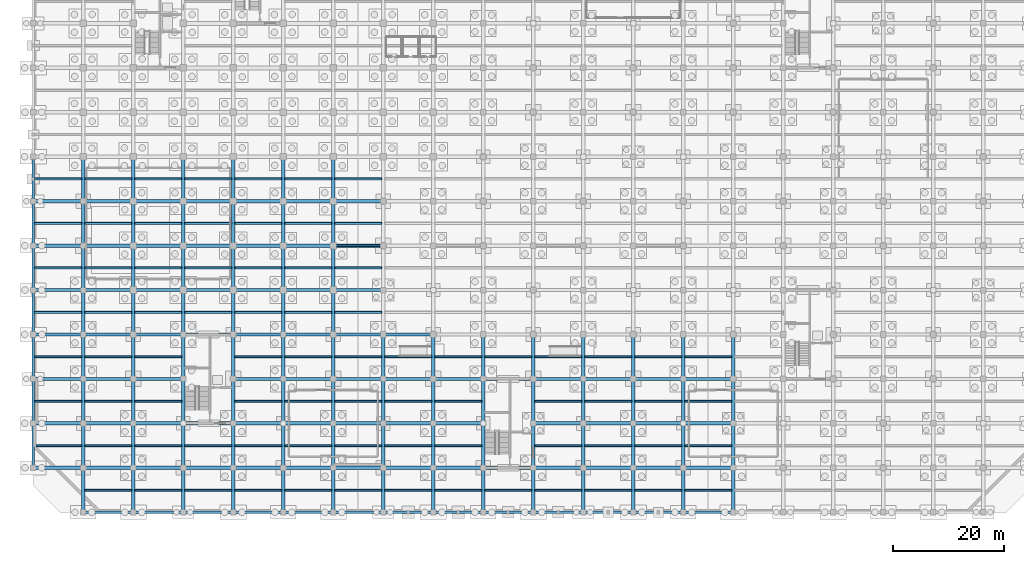
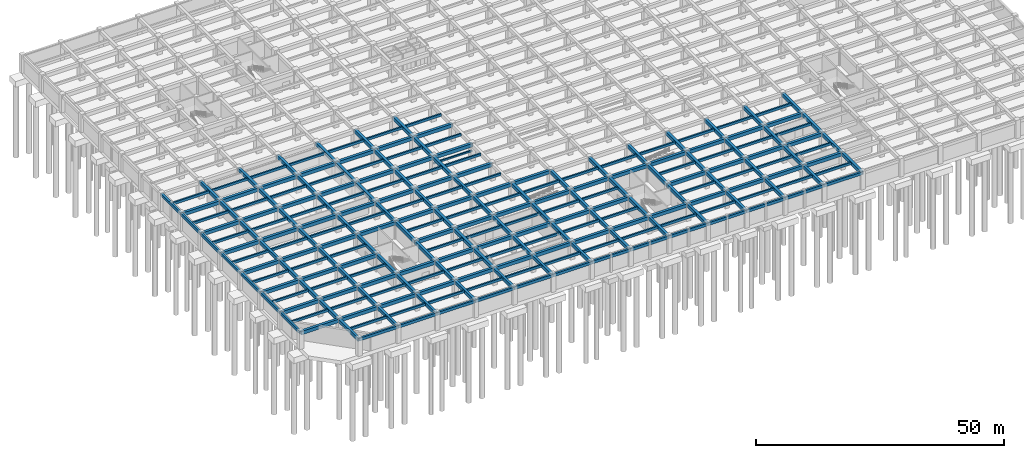
# One storey, part 12 of 31: 249 beams.
"""IFC4 building model written with IfcOpenShell, lengths in metres."""

from ifc_helpers import new_model, si_unit, direction, frame, origin, origin_2d, place, context, subcontext, project, spatial, rectangle, extrude, material, material_profile, profile_set, type_object, element, save


model = new_model("IFC4")

# Units and contexts
model_context = context("Model", 3, precision=1e-05, world=origin(), true_north=direction((0.0, 1.0)))
body_context = subcontext(model_context, "Body", "Model", "MODEL_VIEW")
ifc_project = project(units=[si_unit("LENGTHUNIT", "METRE"), si_unit("AREAUNIT", "SQUARE_METRE"), si_unit("VOLUMEUNIT", "CUBIC_METRE"), si_unit("PLANEANGLEUNIT", "RADIAN"), si_unit("MASSUNIT", "GRAM", prefix="KILO")], contexts=[model_context])

# Site, building, storey
site_placement = place(None, origin())
site = spatial("IfcSite", under=ifc_project, at=site_placement, CompositionType="ELEMENT")
building_placement = place(site_placement, origin())
building = spatial("IfcBuilding", under=site, at=building_placement, Name="Zaverband Oceanarium and Marine Research Institute", CompositionType="ELEMENT")
storey_placement = place(building_placement, frame((0.0, 0.0, -9.0)))
storey = spatial("IfcBuildingStorey", under=building, at=storey_placement, Name="B2", CompositionType="ELEMENT", Elevation=-9.0)

# Beams
ifc_material = material(Name="Concrete C40/50", Category="concrete")
ifc_material_profile_1 = material_profile(ifc_material, rectangle(XDim=0.60009765625, YDim=0.85009765625, at=origin_2d()), Name="RC600x850")
ifc_profile_set_1 = profile_set([ifc_material_profile_1], Name="Concrete C40/50")
beam_type_1 = type_object("IfcBeamType", Name="BM-600x850", PredefinedType="BEAM", material=ifc_profile_set_1)
for number, where, z_axis, x_axis, name in (
    (1, (0.0, 8.0, 3.77490234375), (1.0, 0.0, 0.0), (0.0, 1.0, 0.0), "Primary floor girder BM-600x850"),
    (2, (9.0, 8.0, 3.77490234375), (1.0, 0.0, 0.0), (0.0, 1.0, 0.0), "Primary floor girder BM-600x850"),
    (3, (18.0, 8.0, 3.77490234375), (1.0, 0.0, 0.0), (0.0, 1.0, 0.0), "Primary floor girder BM-600x850"),
    (4, (27.0, 8.0, 3.77490234375), (1.0, 0.0, 0.0), (0.0, 1.0, 0.0), "Primary floor girder BM-600x850"),
    (5, (36.0, 8.0, 3.77490234375), (1.0, 0.0, 0.0), (0.0, 1.0, 0.0), "Primary floor girder BM-600x850"),
    (6, (45.0, 8.0, 3.77490234375), (1.0, 0.0, 0.0), (0.0, 1.0, 0.0), "Primary floor girder BM-600x850"),
    (7, (54.0, 8.0, 3.77490234375), (1.0, 0.0, 0.0), (0.0, 1.0, 0.0), "Primary floor girder BM-600x850"),
    (8, (63.0, 8.0, 3.77490234375), (1.0, 0.0, 0.0), (0.0, 1.0, 0.0), "Primary floor girder BM-600x850"),
    (9, (72.0, 8.0, 3.77490234375), (1.0, 0.0, 0.0), (0.0, 1.0, 0.0), "Primary floor girder BM-600x850"),
    (10, (81.0, 8.0, 3.77490234375), (1.0, 0.0, 0.0), (0.0, 1.0, 0.0), "Primary floor girder BM-600x850"),
    (11, (90.0, 8.0, 3.77490234375), (1.0, 0.0, 0.0), (0.0, 1.0, 0.0), "Primary floor girder BM-600x850"),
    (12, (99.0, 8.0, 3.77490234375), (1.0, 0.0, 0.0), (0.0, 1.0, 0.0), "Primary floor girder BM-600x850"),
    (13, (108.0, 8.0, 3.77490234375), (1.0, 0.0, 0.0), (0.0, 1.0, 0.0), "Primary floor girder BM-600x850"),
    (14, (117.0, 8.0, 3.77490234375), (1.0, 0.0, 0.0), (0.0, 1.0, 0.0), "Primary floor girder BM-600x850"),
    (15, (0.0, 16.0, 3.77490234375), (1.0, 0.0, 0.0), (0.0, 1.0, 0.0), "Primary floor girder BM-600x850"),
    (16, (9.0, 16.0, 3.77490234375), (1.0, 0.0, 0.0), (0.0, 1.0, 0.0), "Primary floor girder BM-600x850"),
    (17, (18.0, 16.0, 3.77490234375), (1.0, 0.0, 0.0), (0.0, 1.0, 0.0), "Primary floor girder BM-600x850"),
    (18, (27.0, 16.0, 3.77490234375), (1.0, 0.0, 0.0), (0.0, 1.0, 0.0), "Primary floor girder BM-600x850"),
    (19, (36.0, 16.0, 3.77490234375), (1.0, 0.0, 0.0), (0.0, 1.0, 0.0), "Primary floor girder BM-600x850"),
    (20, (45.0, 16.0, 3.77490234375), (1.0, 0.0, 0.0), (0.0, 1.0, 0.0), "Primary floor girder BM-600x850"),
    (21, (54.0, 16.0, 3.77490234375), (1.0, 0.0, 0.0), (0.0, 1.0, 0.0), "Primary floor girder BM-600x850"),
    (22, (63.0, 16.0, 3.77490234375), (1.0, 0.0, 0.0), (0.0, 1.0, 0.0), "Primary floor girder BM-600x850"),
    (23, (72.0, 16.0, 3.77490234375), (1.0, 0.0, 0.0), (0.0, 1.0, 0.0), "Primary floor girder BM-600x850"),
    (24, (90.0, 16.0, 3.77490234375), (1.0, 0.0, 0.0), (0.0, 1.0, 0.0), "Primary floor girder BM-600x850"),
    (25, (99.0, 16.0, 3.77490234375), (1.0, 0.0, 0.0), (0.0, 1.0, 0.0), "Primary floor girder BM-600x850"),
    (26, (108.0, 16.0, 3.77490234375), (1.0, 0.0, 0.0), (0.0, 1.0, 0.0), "Primary floor girder BM-600x850"),
    (27, (117.0, 16.0, 3.77490234375), (1.0, 0.0, 0.0), (0.0, 1.0, 0.0), "Primary floor girder BM-600x850"),
    (28, (0.0, 24.0, 3.77490234375), (1.0, 0.0, 0.0), (0.0, 1.0, 0.0), "Primary floor girder BM-600x850"),
    (29, (9.0, 24.0, 3.77490234375), (1.0, 0.0, 0.0), (0.0, 1.0, 0.0), "Primary floor girder BM-600x850"),
    (30, (18.0, 24.0, 3.77490234375), (1.0, 0.0, 0.0), (0.0, 1.0, 0.0), "Primary floor girder BM-600x850"),
    (31, (36.0, 24.0, 3.77490234375), (1.0, 0.0, 0.0), (0.0, 1.0, 0.0), "Primary floor girder BM-600x850"),
    (32, (45.0, 24.0, 3.77490234375), (1.0, 0.0, 0.0), (0.0, 1.0, 0.0), "Primary floor girder BM-600x850"),
    (33, (54.0, 24.0, 3.77490234375), (1.0, 0.0, 0.0), (0.0, 1.0, 0.0), "Primary floor girder BM-600x850"),
    (34, (63.0, 24.0, 3.77490234375), (1.0, 0.0, 0.0), (0.0, 1.0, 0.0), "Primary floor girder BM-600x850"),
    (35, (72.0, 24.0, 3.77490234375), (1.0, 0.0, 0.0), (0.0, 1.0, 0.0), "Primary floor girder BM-600x850"),
    (36, (81.0, 24.0, 3.77490234375), (1.0, 0.0, 0.0), (0.0, 1.0, 0.0), "Primary floor girder BM-600x850"),
    (37, (90.0, 24.0, 3.77490234375), (1.0, 0.0, 0.0), (0.0, 1.0, 0.0), "Primary floor girder BM-600x850"),
    (38, (99.0, 24.0, 3.77490234375), (1.0, 0.0, 0.0), (0.0, 1.0, 0.0), "Primary floor girder BM-600x850"),
    (39, (108.0, 24.0, 3.77490234375), (1.0, 0.0, 0.0), (0.0, 1.0, 0.0), "Primary floor girder BM-600x850"),
    (40, (117.0, 24.0, 3.77490234375), (1.0, 0.0, 0.0), (0.0, 1.0, 0.0), "Primary floor girder BM-600x850"),
    (41, (0.0, 32.0, 3.77490234375), (1.0, 0.0, 0.0), (0.0, 1.0, 0.0), "Primary floor girder BM-600x850"),
    (42, (9.0, 32.0, 3.77490234375), (1.0, 0.0, 0.0), (0.0, 1.0, 0.0), "Primary floor girder BM-600x850"),
    (43, (18.0, 32.0, 3.77490234375), (1.0, 0.0, 0.0), (0.0, 1.0, 0.0), "Primary floor girder BM-600x850"),
    (44, (27.0, 32.0, 3.77490234375), (1.0, 0.0, 0.0), (0.0, 1.0, 0.0), "Primary floor girder BM-600x850"),
    (45, (36.0, 32.0, 3.77490234375), (1.0, 0.0, 0.0), (0.0, 1.0, 0.0), "Primary floor girder BM-600x850"),
    (46, (45.0, 32.0, 3.77490234375), (1.0, 0.0, 0.0), (0.0, 1.0, 0.0), "Primary floor girder BM-600x850"),
    (47, (54.0, 32.0, 3.77490234375), (1.0, 0.0, 0.0), (0.0, 1.0, 0.0), "Primary floor girder BM-600x850"),
    (48, (63.0, 32.0, 3.77490234375), (1.0, 0.0, 0.0), (0.0, 1.0, 0.0), "Primary floor girder BM-600x850"),
    (49, (0.0, 40.0, 3.77490234375), (1.0, 0.0, 0.0), (0.0, 1.0, 0.0), "Primary floor girder BM-600x850"),
    (50, (9.0, 40.0, 3.77490234375), (1.0, 0.0, 0.0), (0.0, 1.0, 0.0), "Primary floor girder BM-600x850"),
    (51, (18.0, 40.0, 3.77490234375), (1.0, 0.0, 0.0), (0.0, 1.0, 0.0), "Primary floor girder BM-600x850"),
    (52, (27.0, 40.0, 3.77490234375), (1.0, 0.0, 0.0), (0.0, 1.0, 0.0), "Primary floor girder BM-600x850"),
    (53, (36.0, 40.0, 3.77490234375), (1.0, 0.0, 0.0), (0.0, 1.0, 0.0), "Primary floor girder BM-600x850"),
    (54, (45.0, 40.0, 3.77490234375), (1.0, 0.0, 0.0), (0.0, 1.0, 0.0), "Primary floor girder BM-600x850"),
    (55, (54.0, 40.0, 3.77490234375), (1.0, 0.0, 0.0), (0.0, 1.0, 0.0), "Primary floor girder BM-600x850"),
    (56, (0.0, 48.0, 3.77490234375), (1.0, 0.0, 0.0), (0.0, 1.0, 0.0), "Primary floor girder BM-600x850"),
    (57, (9.0, 48.0, 3.77490234375), (1.0, 0.0, 0.0), (0.0, 1.0, 0.0), "Primary floor girder BM-600x850"),
    (58, (18.0, 48.0, 3.77490234375), (1.0, 0.0, 0.0), (0.0, 1.0, 0.0), "Primary floor girder BM-600x850"),
    (59, (27.0, 48.0, 3.77490234375), (1.0, 0.0, 0.0), (0.0, 1.0, 0.0), "Primary floor girder BM-600x850"),
    (60, (36.0, 48.0, 3.77490234375), (1.0, 0.0, 0.0), (0.0, 1.0, 0.0), "Primary floor girder BM-600x850"),
    (61, (45.0, 48.0, 3.77490234375), (1.0, 0.0, 0.0), (0.0, 1.0, 0.0), "Primary floor girder BM-600x850"),
    (62, (54.0, 48.0, 3.77490234375), (1.0, 0.0, 0.0), (0.0, 1.0, 0.0), "Primary floor girder BM-600x850"),
    (63, (0.0, 56.0, 3.77490234375), (1.0, 0.0, 0.0), (0.0, 1.0, 0.0), "Primary floor girder BM-600x850"),
    (64, (9.0, 56.0, 3.77490234375), (1.0, 0.0, 0.0), (0.0, 1.0, 0.0), "Primary floor girder BM-600x850"),
    (65, (18.0, 56.0, 3.77490234375), (1.0, 0.0, 0.0), (0.0, 1.0, 0.0), "Primary floor girder BM-600x850"),
    (66, (27.0, 56.0, 3.77490234375), (1.0, 0.0, 0.0), (0.0, 1.0, 0.0), "Primary floor girder BM-600x850"),
    (67, (36.0, 56.0, 3.77490234375), (1.0, 0.0, 0.0), (0.0, 1.0, 0.0), "Primary floor girder BM-600x850"),
    (68, (45.0, 56.0, 3.77490234375), (1.0, 0.0, 0.0), (0.0, 1.0, 0.0), "Primary floor girder BM-600x850"),
    (69, (54.0, 56.0, 3.77490234375), (1.0, 0.0, 0.0), (0.0, 1.0, 0.0), "Primary floor girder BM-600x850"),
):
    element("IfcBeam", number, at=place(storey_placement, frame(where, z_axis=z_axis, x_axis=x_axis)), inside=storey, type_object=beam_type_1, Name=name, PredefinedType="BEAM", context=body_context, shape_type="SweptSolid", body=[
        extrude(rectangle(XDim=0.60009765625, YDim=0.85009765625, at=origin_2d()), origin(), (0.0, 0.0, 1.0), 9.0),
    ])
for number, where, z_axis, x_axis, name in (
    (70, (9.0, 0.0, 3.77490234375), (0.0, 1.0, 0.0), (-1.0, 0.0, 0.0), "Primary floor girder BM-600x850"),
    (71, (9.0, 8.0, 3.77490234375), (0.0, 1.0, 0.0), (-1.0, 0.0, 0.0), "Primary floor girder BM-600x850"),
    (72, (9.0, 16.0, 3.77490234375), (0.0, 1.0, 0.0), (-1.0, 0.0, 0.0), "Primary floor girder BM-600x850"),
    (73, (9.0, 24.0, 3.77490234375), (0.0, 1.0, 0.0), (-1.0, 0.0, 0.0), "Primary floor girder BM-600x850"),
    (74, (9.0, 32.0, 3.77490234375), (0.0, 1.0, 0.0), (-1.0, 0.0, 0.0), "Primary floor girder BM-600x850"),
    (75, (9.0, 40.0, 3.77490234375), (0.0, 1.0, 0.0), (-1.0, 0.0, 0.0), "Primary floor girder BM-600x850"),
    (76, (9.0, 48.0, 3.77490234375), (0.0, 1.0, 0.0), (-1.0, 0.0, 0.0), "Primary floor girder BM-600x850"),
    (77, (9.0, 56.0, 3.77490234375), (0.0, 1.0, 0.0), (-1.0, 0.0, 0.0), "Primary floor girder BM-600x850"),
    (78, (18.0, 0.0, 3.77490234375), (0.0, 1.0, 0.0), (-1.0, 0.0, 0.0), "Primary floor girder BM-600x850"),
    (79, (18.0, 8.0, 3.77490234375), (0.0, 1.0, 0.0), (-1.0, 0.0, 0.0), "Primary floor girder BM-600x850"),
    (80, (18.0, 16.0, 3.77490234375), (0.0, 1.0, 0.0), (-1.0, 0.0, 0.0), "Primary floor girder BM-600x850"),
    (81, (18.0, 24.0, 3.77490234375), (0.0, 1.0, 0.0), (-1.0, 0.0, 0.0), "Primary floor girder BM-600x850"),
    (82, (18.0, 32.0, 3.77490234375), (0.0, 1.0, 0.0), (-1.0, 0.0, 0.0), "Primary floor girder BM-600x850"),
    (83, (18.0, 40.0, 3.77490234375), (0.0, 1.0, 0.0), (-1.0, 0.0, 0.0), "Primary floor girder BM-600x850"),
    (84, (18.0, 48.0, 3.77490234375), (0.0, 1.0, 0.0), (-1.0, 0.0, 0.0), "Primary floor girder BM-600x850"),
    (85, (18.0, 56.0, 3.77490234375), (0.0, 1.0, 0.0), (-1.0, 0.0, 0.0), "Primary floor girder BM-600x850"),
    (86, (27.0, 0.0, 3.77490234375), (0.0, 1.0, 0.0), (-1.0, 0.0, 0.0), "Primary floor girder BM-600x850"),
    (87, (27.0, 8.0, 3.77490234375), (0.0, 1.0, 0.0), (-1.0, 0.0, 0.0), "Primary floor girder BM-600x850"),
    (88, (27.0, 16.0, 3.77490234375), (0.0, 1.0, 0.0), (-1.0, 0.0, 0.0), "Primary floor girder BM-600x850"),
    (89, (27.0, 24.0, 3.77490234375), (0.0, 1.0, 0.0), (-1.0, 0.0, 0.0), "Primary floor girder BM-600x850"),
    (90, (27.0, 32.0, 3.77490234375), (0.0, 1.0, 0.0), (-1.0, 0.0, 0.0), "Primary floor girder BM-600x850"),
    (91, (27.0, 40.0, 3.77490234375), (0.0, 1.0, 0.0), (-1.0, 0.0, 0.0), "Primary floor girder BM-600x850"),
    (92, (27.0, 48.0, 3.77490234375), (0.0, 1.0, 0.0), (-1.0, 0.0, 0.0), "Primary floor girder BM-600x850"),
    (93, (27.0, 56.0, 3.77490234375), (0.0, 1.0, 0.0), (-1.0, 0.0, 0.0), "Primary floor girder BM-600x850"),
    (94, (36.0, 0.0, 3.77490234375), (0.0, 1.0, 0.0), (-1.0, 0.0, 0.0), "Primary floor girder BM-600x850"),
    (95, (36.0, 8.0, 3.77490234375), (0.0, 1.0, 0.0), (-1.0, 0.0, 0.0), "Primary floor girder BM-600x850"),
    (96, (36.0, 16.0, 3.77490234375), (0.0, 1.0, 0.0), (-1.0, 0.0, 0.0), "Primary floor girder BM-600x850"),
    (97, (36.0, 24.0, 3.77490234375), (0.0, 1.0, 0.0), (-1.0, 0.0, 0.0), "Primary floor girder BM-600x850"),
    (98, (36.0, 32.0, 3.77490234375), (0.0, 1.0, 0.0), (-1.0, 0.0, 0.0), "Primary floor girder BM-600x850"),
    (99, (36.0, 40.0, 3.77490234375), (0.0, 1.0, 0.0), (-1.0, 0.0, 0.0), "Primary floor girder BM-600x850"),
    (100, (36.0, 48.0, 3.77490234375), (0.0, 1.0, 0.0), (-1.0, 0.0, 0.0), "Primary floor girder BM-600x850"),
    (101, (36.0, 56.0, 3.77490234375), (0.0, 1.0, 0.0), (-1.0, 0.0, 0.0), "Primary floor girder BM-600x850"),
    (102, (45.0, 0.0, 3.77490234375), (0.0, 1.0, 0.0), (-1.0, 0.0, 0.0), "Primary floor girder BM-600x850"),
    (103, (45.0, 8.0, 3.77490234375), (0.0, 1.0, 0.0), (-1.0, 0.0, 0.0), "Primary floor girder BM-600x850"),
    (104, (45.0, 16.0, 3.77490234375), (0.0, 1.0, 0.0), (-1.0, 0.0, 0.0), "Primary floor girder BM-600x850"),
    (105, (45.0, 24.0, 3.77490234375), (0.0, 1.0, 0.0), (-1.0, 0.0, 0.0), "Primary floor girder BM-600x850"),
    (106, (45.0, 32.0, 3.77490234375), (0.0, 1.0, 0.0), (-1.0, 0.0, 0.0), "Primary floor girder BM-600x850"),
    (107, (45.0, 40.0, 3.77490234375), (0.0, 1.0, 0.0), (-1.0, 0.0, 0.0), "Primary floor girder BM-600x850"),
    (108, (45.0, 48.0, 3.77490234375), (0.0, 1.0, 0.0), (-1.0, 0.0, 0.0), "Primary floor girder BM-600x850"),
    (109, (45.0, 56.0, 3.77490234375), (0.0, 1.0, 0.0), (-1.0, 0.0, 0.0), "Primary floor girder BM-600x850"),
    (110, (54.0, 0.0, 3.77490234375), (0.0, 1.0, 0.0), (-1.0, 0.0, 0.0), "Primary floor girder BM-600x850"),
    (111, (54.0, 8.0, 3.77490234375), (0.0, 1.0, 0.0), (-1.0, 0.0, 0.0), "Primary floor girder BM-600x850"),
    (112, (54.0, 16.0, 3.77490234375), (0.0, 1.0, 0.0), (-1.0, 0.0, 0.0), "Primary floor girder BM-600x850"),
    (113, (54.0, 24.0, 3.77490234375), (0.0, 1.0, 0.0), (-1.0, 0.0, 0.0), "Primary floor girder BM-600x850"),
    (114, (54.0, 32.0, 3.77490234375), (0.0, 1.0, 0.0), (-1.0, 0.0, 0.0), "Primary floor girder BM-600x850"),
    (115, (54.0, 40.0, 3.77490234375), (0.0, 1.0, 0.0), (-1.0, 0.0, 0.0), "Primary floor girder BM-600x850"),
    (116, (54.0, 48.0, 3.77490234375), (0.0, 1.0, 0.0), (-1.0, 0.0, 0.0), "Primary floor girder BM-600x850"),
    (117, (54.0, 56.0, 3.77490234375), (0.0, 1.0, 0.0), (-1.0, 0.0, 0.0), "Primary floor girder BM-600x850"),
    (118, (63.0, 0.0, 3.77490234375), (0.0, 1.0, 0.0), (-1.0, 0.0, 0.0), "Primary floor girder BM-600x850"),
    (119, (63.0, 8.0, 3.77490234375), (0.0, 1.0, 0.0), (-1.0, 0.0, 0.0), "Primary floor girder BM-600x850"),
    (120, (63.0, 16.0, 3.77490234375), (0.0, 1.0, 0.0), (-1.0, 0.0, 0.0), "Primary floor girder BM-600x850"),
    (121, (63.0, 24.0, 3.77490234375), (0.0, 1.0, 0.0), (-1.0, 0.0, 0.0), "Primary floor girder BM-600x850"),
    (122, (72.0, 0.0, 3.77490234375), (0.0, 1.0, 0.0), (-1.0, 0.0, 0.0), "Primary floor girder BM-600x850"),
    (123, (72.0, 8.0, 3.77490234375), (0.0, 1.0, 0.0), (-1.0, 0.0, 0.0), "Primary floor girder BM-600x850"),
    (124, (72.0, 16.0, 3.77490234375), (0.0, 1.0, 0.0), (-1.0, 0.0, 0.0), "Primary floor girder BM-600x850"),
    (125, (72.0, 24.0, 3.77490234375), (0.0, 1.0, 0.0), (-1.0, 0.0, 0.0), "Primary floor girder BM-600x850"),
    (126, (81.0, 0.0, 3.77490234375), (0.0, 1.0, 0.0), (-1.0, 0.0, 0.0), "Primary floor girder BM-600x850"),
    (127, (81.0, 8.0, 3.77490234375), (0.0, 1.0, 0.0), (-1.0, 0.0, 0.0), "Primary floor girder BM-600x850"),
    (128, (81.0, 16.0, 3.77490234375), (0.0, 1.0, 0.0), (-1.0, 0.0, 0.0), "Primary floor girder BM-600x850"),
    (129, (81.0, 24.0, 3.77490234375), (0.0, 1.0, 0.0), (-1.0, 0.0, 0.0), "Primary floor girder BM-600x850"),
    (130, (90.0, 0.0, 3.77490234375), (0.0, 1.0, 0.0), (-1.0, 0.0, 0.0), "Primary floor girder BM-600x850"),
    (131, (90.0, 8.0, 3.77490234375), (0.0, 1.0, 0.0), (-1.0, 0.0, 0.0), "Primary floor girder BM-600x850"),
    (132, (90.0, 16.0, 3.77490234375), (0.0, 1.0, 0.0), (-1.0, 0.0, 0.0), "Primary floor girder BM-600x850"),
    (133, (90.0, 24.0, 3.77490234375), (0.0, 1.0, 0.0), (-1.0, 0.0, 0.0), "Primary floor girder BM-600x850"),
    (134, (99.0, 0.0, 3.77490234375), (0.0, 1.0, 0.0), (-1.0, 0.0, 0.0), "Primary floor girder BM-600x850"),
    (135, (99.0, 8.0, 3.77490234375), (0.0, 1.0, 0.0), (-1.0, 0.0, 0.0), "Primary floor girder BM-600x850"),
    (136, (99.0, 16.0, 3.77490234375), (0.0, 1.0, 0.0), (-1.0, 0.0, 0.0), "Primary floor girder BM-600x850"),
    (137, (99.0, 24.0, 3.77490234375), (0.0, 1.0, 0.0), (-1.0, 0.0, 0.0), "Primary floor girder BM-600x850"),
    (138, (108.0, 0.0, 3.77490234375), (0.0, 1.0, 0.0), (-1.0, 0.0, 0.0), "Primary floor girder BM-600x850"),
    (139, (108.0, 8.0, 3.77490234375), (0.0, 1.0, 0.0), (-1.0, 0.0, 0.0), "Primary floor girder BM-600x850"),
    (140, (108.0, 16.0, 3.77490234375), (0.0, 1.0, 0.0), (-1.0, 0.0, 0.0), "Primary floor girder BM-600x850"),
    (141, (108.0, 24.0, 3.77490234375), (0.0, 1.0, 0.0), (-1.0, 0.0, 0.0), "Primary floor girder BM-600x850"),
    (142, (117.0, 0.0, 3.77490234375), (0.0, 1.0, 0.0), (-1.0, 0.0, 0.0), "Primary floor girder BM-600x850"),
    (143, (117.0, 8.0, 3.77490234375), (0.0, 1.0, 0.0), (-1.0, 0.0, 0.0), "Primary floor girder BM-600x850"),
    (144, (117.0, 16.0, 3.77490234375), (0.0, 1.0, 0.0), (-1.0, 0.0, 0.0), "Primary floor girder BM-600x850"),
    (145, (117.0, 24.0, 3.77490234375), (0.0, 1.0, 0.0), (-1.0, 0.0, 0.0), "Primary floor girder BM-600x850"),
    (146, (126.0, 0.0, 3.77490234375), (0.0, 1.0, 0.0), (-1.0, 0.0, 0.0), "Primary floor girder BM-600x850"),
    (147, (126.0, 8.0, 3.77490234375), (0.0, 1.0, 0.0), (-1.0, 0.0, 0.0), "Primary floor girder BM-600x850"),
    (148, (126.0, 16.0, 3.77490234375), (0.0, 1.0, 0.0), (-1.0, 0.0, 0.0), "Primary floor girder BM-600x850"),
    (149, (126.0, 24.0, 3.77490234375), (0.0, 1.0, 0.0), (-1.0, 0.0, 0.0), "Primary floor girder BM-600x850"),
):
    element("IfcBeam", number, at=place(storey_placement, frame(where, z_axis=z_axis, x_axis=x_axis)), inside=storey, type_object=beam_type_1, Name=name, PredefinedType="BEAM", context=body_context, shape_type="SweptSolid", body=[
        extrude(rectangle(XDim=0.60009765625, YDim=0.85009765625, at=origin_2d()), origin(), (0.0, 0.0, 1.0), 8.0),
    ])
ifc_material_profile_2 = material_profile(ifc_material, rectangle(XDim=0.35009765625, YDim=0.60009765625, at=origin_2d()), Name="RC350x600")
ifc_profile_set_2 = profile_set([ifc_material_profile_2], Name="Concrete C40/50")
beam_type_2 = type_object("IfcBeamType", Name="JST-350x600", PredefinedType="JOIST", material=ifc_profile_set_2)
for number, where, z_axis, x_axis, name in (
    (150, (0.22509765625, 12.0, 3.89990234375), (1.0, 0.0, 0.0), (0.0, 1.0, 0.0), "Secondary floor joist JST-350x600"),
    (151, (0.22509765625, 20.0, 3.89990234375), (1.0, 0.0, 0.0), (0.0, 1.0, 0.0), "Secondary floor joist JST-350x600"),
    (152, (0.22509765625, 28.0, 3.89990234375), (1.0, 0.0, 0.0), (0.0, 1.0, 0.0), "Secondary floor joist JST-350x600"),
    (153, (0.22509765625, 36.0, 3.89990234375), (1.0, 0.0, 0.0), (0.0, 1.0, 0.0), "Secondary floor joist JST-350x600"),
    (154, (0.22509765625, 44.0, 3.89990234375), (1.0, 0.0, 0.0), (0.0, 1.0, 0.0), "Secondary floor joist JST-350x600"),
    (155, (0.22509765625, 52.0, 3.89990234375), (1.0, 0.0, 0.0), (0.0, 1.0, 0.0), "Secondary floor joist JST-350x600"),
    (156, (0.22509765625, 60.0, 3.89990234375), (1.0, 0.0, 0.0), (0.0, 1.0, 0.0), "Secondary floor joist JST-350x600"),
):
    element("IfcBeam", number, at=place(storey_placement, frame(where, z_axis=z_axis, x_axis=x_axis)), inside=storey, type_object=beam_type_2, Name=name, PredefinedType="JOIST", context=body_context, shape_type="SweptSolid", body=[
        extrude(rectangle(XDim=0.35009765625, YDim=0.60009765625, at=origin_2d()), origin(), (0.0, 0.0, 1.0), 8.474853515625),
    ])
for number, where, z_axis, x_axis, name in (
    (157, (9.300048828125, 4.0, 3.89990234375), (1.0, 0.0, 0.0), (0.0, 1.0, 0.0), "Secondary floor joist JST-350x600"),
    (158, (9.300048828125, 12.0, 3.89990234375), (1.0, 0.0, 0.0), (0.0, 1.0, 0.0), "Secondary floor joist JST-350x600"),
    (159, (9.300048828125, 20.0, 3.89990234375), (1.0, 0.0, 0.0), (0.0, 1.0, 0.0), "Secondary floor joist JST-350x600"),
    (160, (9.300048828125, 28.0, 3.89990234375), (1.0, 0.0, 0.0), (0.0, 1.0, 0.0), "Secondary floor joist JST-350x600"),
    (161, (9.300048828125, 36.0, 3.89990234375), (1.0, 0.0, 0.0), (0.0, 1.0, 0.0), "Secondary floor joist JST-350x600"),
    (162, (9.300048828125, 44.0, 3.89990234375), (1.0, 0.0, 0.0), (0.0, 1.0, 0.0), "Secondary floor joist JST-350x600"),
    (163, (9.300048828125, 52.0, 3.89990234375), (1.0, 0.0, 0.0), (0.0, 1.0, 0.0), "Secondary floor joist JST-350x600"),
    (164, (9.300048828125, 60.0, 3.89990234375), (1.0, 0.0, 0.0), (0.0, 1.0, 0.0), "Secondary floor joist JST-350x600"),
    (165, (18.300048828125, 4.0, 3.89990234375), (1.0, 0.0, 0.0), (0.0, 1.0, 0.0), "Secondary floor joist JST-350x600"),
    (166, (18.300048828125, 12.0, 3.89990234375), (1.0, 0.0, 0.0), (0.0, 1.0, 0.0), "Secondary floor joist JST-350x600"),
    (167, (18.300048828125, 20.0, 3.89990234375), (1.0, 0.0, 0.0), (0.0, 1.0, 0.0), "Secondary floor joist JST-350x600"),
    (168, (18.300048828125, 28.0, 3.89990234375), (1.0, 0.0, 0.0), (0.0, 1.0, 0.0), "Secondary floor joist JST-350x600"),
    (169, (18.300048828125, 36.0, 3.89990234375), (1.0, 0.0, 0.0), (0.0, 1.0, 0.0), "Secondary floor joist JST-350x600"),
    (170, (18.300048828125, 44.0, 3.89990234375), (1.0, 0.0, 0.0), (0.0, 1.0, 0.0), "Secondary floor joist JST-350x600"),
    (171, (18.300048828125, 52.0, 3.89990234375), (1.0, 0.0, 0.0), (0.0, 1.0, 0.0), "Secondary floor joist JST-350x600"),
    (172, (18.300048828125, 60.0, 3.89990234375), (1.0, 0.0, 0.0), (0.0, 1.0, 0.0), "Secondary floor joist JST-350x600"),
    (173, (27.300048828125, 4.0, 3.89990234375), (1.0, 0.0, 0.0), (0.0, 1.0, 0.0), "Secondary floor joist JST-350x600"),
    (174, (27.300048828125, 12.0, 3.89990234375), (1.0, 0.0, 0.0), (0.0, 1.0, 0.0), "Secondary floor joist JST-350x600"),
    (175, (27.300048828125, 36.0, 3.89990234375), (1.0, 0.0, 0.0), (0.0, 1.0, 0.0), "Secondary floor joist JST-350x600"),
    (176, (27.300048828125, 44.0, 3.89990234375), (1.0, 0.0, 0.0), (0.0, 1.0, 0.0), "Secondary floor joist JST-350x600"),
    (177, (27.300048828125, 52.0, 3.89990234375), (1.0, 0.0, 0.0), (0.0, 1.0, 0.0), "Secondary floor joist JST-350x600"),
    (178, (27.300048828125, 60.0, 3.89990234375), (1.0, 0.0, 0.0), (0.0, 1.0, 0.0), "Secondary floor joist JST-350x600"),
    (179, (36.300048828125, 4.0, 3.89990234375), (1.0, 0.0, 0.0), (0.0, 1.0, 0.0), "Secondary floor joist JST-350x600"),
    (180, (36.300048828125, 12.0, 3.89990234375), (1.0, 0.0, 0.0), (0.0, 1.0, 0.0), "Secondary floor joist JST-350x600"),
    (181, (36.300048828125, 20.0, 3.89990234375), (1.0, 0.0, 0.0), (0.0, 1.0, 0.0), "Secondary floor joist JST-350x600"),
    (182, (36.300048828125, 28.0, 3.89990234375), (1.0, 0.0, 0.0), (0.0, 1.0, 0.0), "Secondary floor joist JST-350x600"),
    (183, (36.300048828125, 36.0, 3.89990234375), (1.0, 0.0, 0.0), (0.0, 1.0, 0.0), "Secondary floor joist JST-350x600"),
    (184, (36.300048828125, 44.0, 3.89990234375), (1.0, 0.0, 0.0), (0.0, 1.0, 0.0), "Secondary floor joist JST-350x600"),
    (185, (36.300048828125, 52.0, 3.89990234375), (1.0, 0.0, 0.0), (0.0, 1.0, 0.0), "Secondary floor joist JST-350x600"),
    (186, (36.300048828125, 60.0, 3.89990234375), (1.0, 0.0, 0.0), (0.0, 1.0, 0.0), "Secondary floor joist JST-350x600"),
    (187, (45.300048828125, 4.0, 3.89990234375), (1.0, 0.0, 0.0), (0.0, 1.0, 0.0), "Secondary floor joist JST-350x600"),
    (188, (45.300048828125, 12.0, 3.89990234375), (1.0, 0.0, 0.0), (0.0, 1.0, 0.0), "Secondary floor joist JST-350x600"),
    (189, (45.300048828125, 20.0, 3.89990234375), (1.0, 0.0, 0.0), (0.0, 1.0, 0.0), "Secondary floor joist JST-350x600"),
    (190, (45.300048828125, 28.0, 3.89990234375), (1.0, 0.0, 0.0), (0.0, 1.0, 0.0), "Secondary floor joist JST-350x600"),
    (191, (45.300048828125, 36.0, 3.89990234375), (1.0, 0.0, 0.0), (0.0, 1.0, 0.0), "Secondary floor joist JST-350x600"),
    (192, (45.300048828125, 44.0, 3.89990234375), (1.0, 0.0, 0.0), (0.0, 1.0, 0.0), "Secondary floor joist JST-350x600"),
    (193, (45.300048828125, 52.0, 3.89990234375), (1.0, 0.0, 0.0), (0.0, 1.0, 0.0), "Secondary floor joist JST-350x600"),
    (194, (45.300048828125, 60.0, 3.89990234375), (1.0, 0.0, 0.0), (0.0, 1.0, 0.0), "Secondary floor joist JST-350x600"),
    (195, (54.300048828125, 4.0, 3.89990234375), (1.0, 0.0, 0.0), (0.0, 1.0, 0.0), "Secondary floor joist JST-350x600"),
    (196, (54.300048828125, 12.0, 3.89990234375), (1.0, 0.0, 0.0), (0.0, 1.0, 0.0), "Secondary floor joist JST-350x600"),
    (197, (54.300048828125, 20.0, 3.89990234375), (1.0, 0.0, 0.0), (0.0, 1.0, 0.0), "Secondary floor joist JST-350x600"),
    (198, (54.300048828125, 28.0, 3.89990234375), (1.0, 0.0, 0.0), (0.0, 1.0, 0.0), "Secondary floor joist JST-350x600"),
    (199, (54.300048828125, 36.0, 3.89990234375), (1.0, 0.0, 0.0), (0.0, 1.0, 0.0), "Secondary floor joist JST-350x600"),
    (200, (54.300048828125, 44.0, 3.89990234375), (1.0, 0.0, 0.0), (0.0, 1.0, 0.0), "Secondary floor joist JST-350x600"),
    (201, (54.300048828125, 52.0, 3.89990234375), (1.0, 0.0, 0.0), (0.0, 1.0, 0.0), "Secondary floor joist JST-350x600"),
    (202, (54.300048828125, 60.0, 3.89990234375), (1.0, 0.0, 0.0), (0.0, 1.0, 0.0), "Secondary floor joist JST-350x600"),
    (203, (63.300048828125, 4.0, 3.89990234375), (1.0, 0.0, 0.0), (0.0, 1.0, 0.0), "Secondary floor joist JST-350x600"),
    (204, (63.300048828125, 12.0, 3.89990234375), (1.0, 0.0, 0.0), (0.0, 1.0, 0.0), "Secondary floor joist JST-350x600"),
    (205, (63.300048828125, 20.0, 3.89990234375), (1.0, 0.0, 0.0), (0.0, 1.0, 0.0), "Secondary floor joist JST-350x600"),
    (206, (63.300048828125, 28.0, 3.89990234375), (1.0, 0.0, 0.0), (0.0, 1.0, 0.0), "Secondary floor joist JST-350x600"),
    (207, (72.300048828125, 4.0, 3.89990234375), (1.0, 0.0, 0.0), (0.0, 1.0, 0.0), "Secondary floor joist JST-350x600"),
    (208, (72.300048828125, 12.0, 3.89990234375), (1.0, 0.0, 0.0), (0.0, 1.0, 0.0), "Secondary floor joist JST-350x600"),
    (209, (72.300048828125, 20.0, 3.89990234375), (1.0, 0.0, 0.0), (0.0, 1.0, 0.0), "Secondary floor joist JST-350x600"),
    (210, (72.300048828125, 28.0, 3.89990234375), (1.0, 0.0, 0.0), (0.0, 1.0, 0.0), "Secondary floor joist JST-350x600"),
    (211, (81.300048828125, 4.0, 3.89990234375), (1.0, 0.0, 0.0), (0.0, 1.0, 0.0), "Secondary floor joist JST-350x600"),
    (212, (81.300048828125, 28.0, 3.89990234375), (1.0, 0.0, 0.0), (0.0, 1.0, 0.0), "Secondary floor joist JST-350x600"),
    (213, (90.300048828125, 4.0, 3.89990234375), (1.0, 0.0, 0.0), (0.0, 1.0, 0.0), "Secondary floor joist JST-350x600"),
    (214, (90.300048828125, 12.0, 3.89990234375), (1.0, 0.0, 0.0), (0.0, 1.0, 0.0), "Secondary floor joist JST-350x600"),
    (215, (90.300048828125, 20.0, 3.89990234375), (1.0, 0.0, 0.0), (0.0, 1.0, 0.0), "Secondary floor joist JST-350x600"),
    (216, (90.300048828125, 28.0, 3.89990234375), (1.0, 0.0, 0.0), (0.0, 1.0, 0.0), "Secondary floor joist JST-350x600"),
    (217, (99.300048828125, 4.0, 3.89990234375), (1.0, 0.0, 0.0), (0.0, 1.0, 0.0), "Secondary floor joist JST-350x600"),
    (218, (99.300048828125, 12.0, 3.89990234375), (1.0, 0.0, 0.0), (0.0, 1.0, 0.0), "Secondary floor joist JST-350x600"),
    (219, (99.300048828125, 20.0, 3.89990234375), (1.0, 0.0, 0.0), (0.0, 1.0, 0.0), "Secondary floor joist JST-350x600"),
    (220, (99.300048828125, 28.0, 3.89990234375), (1.0, 0.0, 0.0), (0.0, 1.0, 0.0), "Secondary floor joist JST-350x600"),
    (221, (108.300048828125, 4.0, 3.89990234375), (1.0, 0.0, 0.0), (0.0, 1.0, 0.0), "Secondary floor joist JST-350x600"),
    (222, (108.300048828125, 12.0, 3.89990234375), (1.0, 0.0, 0.0), (0.0, 1.0, 0.0), "Secondary floor joist JST-350x600"),
    (223, (108.300048828125, 20.0, 3.89990234375), (1.0, 0.0, 0.0), (0.0, 1.0, 0.0), "Secondary floor joist JST-350x600"),
    (224, (108.300048828125, 28.0, 3.89990234375), (1.0, 0.0, 0.0), (0.0, 1.0, 0.0), "Secondary floor joist JST-350x600"),
    (225, (117.300048828125, 4.0, 3.89990234375), (1.0, 0.0, 0.0), (0.0, 1.0, 0.0), "Secondary floor joist JST-350x600"),
    (226, (117.300048828125, 12.0, 3.89990234375), (1.0, 0.0, 0.0), (0.0, 1.0, 0.0), "Secondary floor joist JST-350x600"),
    (227, (117.300048828125, 20.0, 3.89990234375), (1.0, 0.0, 0.0), (0.0, 1.0, 0.0), "Secondary floor joist JST-350x600"),
    (228, (117.300048828125, 28.0, 3.89990234375), (1.0, 0.0, 0.0), (0.0, 1.0, 0.0), "Secondary floor joist JST-350x600"),
):
    element("IfcBeam", number, at=place(storey_placement, frame(where, z_axis=z_axis, x_axis=x_axis)), inside=storey, type_object=beam_type_2, Name=name, PredefinedType="JOIST", context=body_context, shape_type="SweptSolid", body=[
        extrude(rectangle(XDim=0.35009765625, YDim=0.60009765625, at=origin_2d()), origin(), (0.0, 0.0, 1.0), 8.39990234375),
    ])
ifc_material_profile_3 = material_profile(ifc_material, rectangle(XDim=0.300048828125, YDim=0.39990234375, at=origin_2d()), Name="RC300x400")
ifc_profile_set_3 = profile_set([ifc_material_profile_3], Name="Concrete C40/50")
beam_type_3 = type_object("IfcBeamType", Name="LNT-300x400", PredefinedType="LINTEL", material=ifc_profile_set_3)
beam_placement = place(storey_placement, frame((54.0, 48.0, 2.25), z_axis=(1.0, 0.0, 0.0), x_axis=(0.0, 1.0, 0.0)))
element("IfcBeam", 229, at=beam_placement, inside=storey, type_object=beam_type_3, Name="Opening lintel beam LNT-300x400", PredefinedType="LINTEL", context=body_context, shape_type="SweptSolid", body=[
    extrude(rectangle(XDim=0.300048828125, YDim=0.39990234375, at=origin_2d()), origin(), (0.0, 0.0, 1.0), 9.0),
])
ifc_material_profile_4 = material_profile(ifc_material, rectangle(XDim=0.449951171875, YDim=0.699951171875, at=origin_2d()), Name="RC450x700")
ifc_profile_set_4 = profile_set([ifc_material_profile_4], Name="Concrete C40/50")
beam_type_4 = type_object("IfcBeamType", Name="SPN-450x700", PredefinedType="SPANDREL", material=ifc_profile_set_4)
for number, where, z_axis, x_axis, name in (
    (230, (9.0, 0.0, 3.85009765625), (1.0, 0.0, 0.0), (0.0, 1.0, 0.0), "Perimeter spandrel beam SPN-450x700"),
    (231, (18.0, 0.0, 3.85009765625), (1.0, 0.0, 0.0), (0.0, 1.0, 0.0), "Perimeter spandrel beam SPN-450x700"),
    (232, (27.0, 0.0, 3.85009765625), (1.0, 0.0, 0.0), (0.0, 1.0, 0.0), "Perimeter spandrel beam SPN-450x700"),
    (233, (36.0, 0.0, 3.85009765625), (1.0, 0.0, 0.0), (0.0, 1.0, 0.0), "Perimeter spandrel beam SPN-450x700"),
    (234, (45.0, 0.0, 3.85009765625), (1.0, 0.0, 0.0), (0.0, 1.0, 0.0), "Perimeter spandrel beam SPN-450x700"),
    (235, (54.0, 0.0, 3.85009765625), (1.0, 0.0, 0.0), (0.0, 1.0, 0.0), "Perimeter spandrel beam SPN-450x700"),
    (236, (63.0, 0.0, 3.85009765625), (1.0, 0.0, 0.0), (0.0, 1.0, 0.0), "Perimeter spandrel beam SPN-450x700"),
    (237, (72.0, 0.0, 3.85009765625), (1.0, 0.0, 0.0), (0.0, 1.0, 0.0), "Perimeter spandrel beam SPN-450x700"),
    (238, (81.0, 0.0, 3.85009765625), (1.0, 0.0, 0.0), (0.0, 1.0, 0.0), "Perimeter spandrel beam SPN-450x700"),
    (239, (90.0, 0.0, 3.85009765625), (1.0, 0.0, 0.0), (0.0, 1.0, 0.0), "Perimeter spandrel beam SPN-450x700"),
    (240, (99.0, 0.0, 3.85009765625), (1.0, 0.0, 0.0), (0.0, 1.0, 0.0), "Perimeter spandrel beam SPN-450x700"),
    (241, (108.0, 0.0, 3.85009765625), (1.0, 0.0, 0.0), (0.0, 1.0, 0.0), "Perimeter spandrel beam SPN-450x700"),
    (242, (117.0, 0.0, 3.85009765625), (1.0, 0.0, 0.0), (0.0, 1.0, 0.0), "Perimeter spandrel beam SPN-450x700"),
):
    element("IfcBeam", number, at=place(storey_placement, frame(where, z_axis=z_axis, x_axis=x_axis)), inside=storey, type_object=beam_type_4, Name=name, PredefinedType="SPANDREL", context=body_context, shape_type="SweptSolid", body=[
        extrude(rectangle(XDim=0.449951171875, YDim=0.699951171875, at=origin_2d()), origin(), (0.0, 0.0, 1.0), 9.0),
    ])
for number, where, z_axis, x_axis, name in (
    (243, (0.0, 8.0, 3.85009765625), (0.0, 1.0, 0.0), (-1.0, 0.0, 0.0), "Perimeter spandrel beam SPN-450x700"),
    (244, (0.0, 16.0, 3.85009765625), (0.0, 1.0, 0.0), (-1.0, 0.0, 0.0), "Perimeter spandrel beam SPN-450x700"),
    (245, (0.0, 24.0, 3.85009765625), (0.0, 1.0, 0.0), (-1.0, 0.0, 0.0), "Perimeter spandrel beam SPN-450x700"),
    (246, (0.0, 32.0, 3.85009765625), (0.0, 1.0, 0.0), (-1.0, 0.0, 0.0), "Perimeter spandrel beam SPN-450x700"),
    (247, (0.0, 40.0, 3.85009765625), (0.0, 1.0, 0.0), (-1.0, 0.0, 0.0), "Perimeter spandrel beam SPN-450x700"),
    (248, (0.0, 48.0, 3.85009765625), (0.0, 1.0, 0.0), (-1.0, 0.0, 0.0), "Perimeter spandrel beam SPN-450x700"),
    (249, (0.0, 56.0, 3.85009765625), (0.0, 1.0, 0.0), (-1.0, 0.0, 0.0), "Perimeter spandrel beam SPN-450x700"),
):
    element("IfcBeam", number, at=place(storey_placement, frame(where, z_axis=z_axis, x_axis=x_axis)), inside=storey, type_object=beam_type_4, Name=name, PredefinedType="SPANDREL", context=body_context, shape_type="SweptSolid", body=[
        extrude(rectangle(XDim=0.449951171875, YDim=0.699951171875, at=origin_2d()), origin(), (0.0, 0.0, 1.0), 8.0),
    ])

save(model, "model.ifc")
